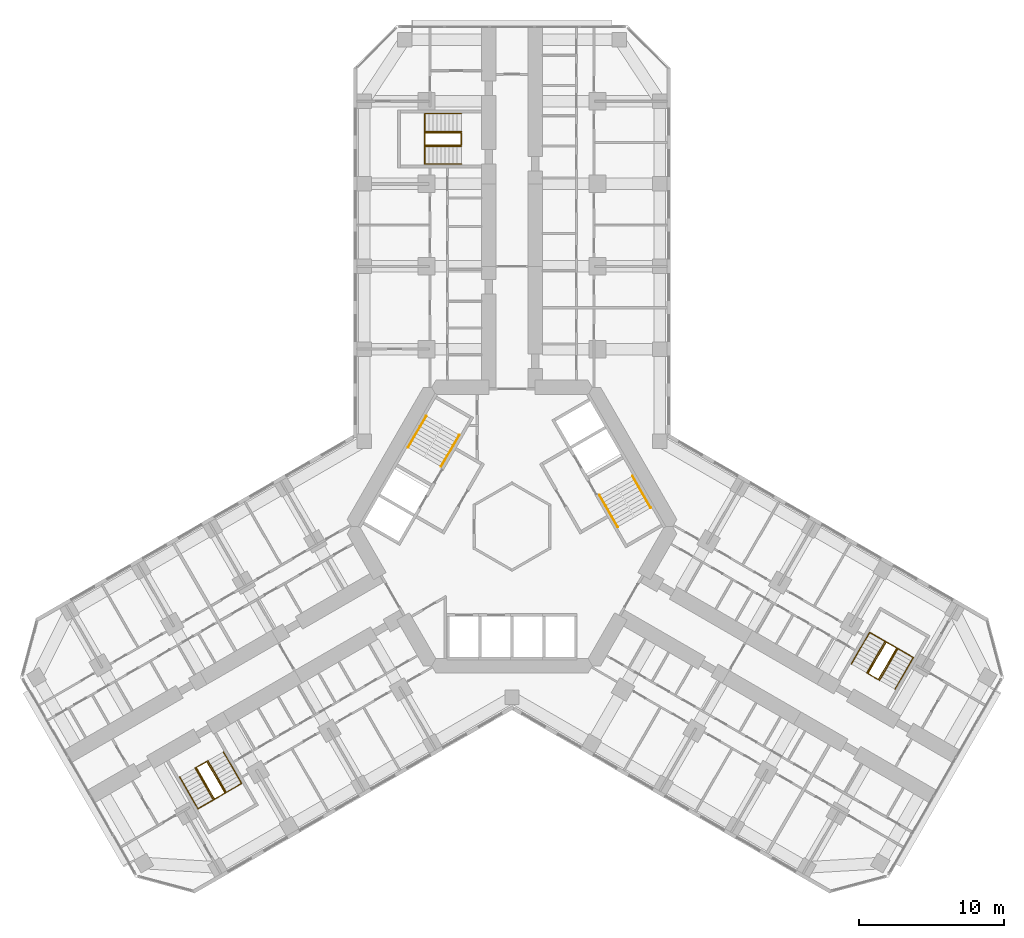
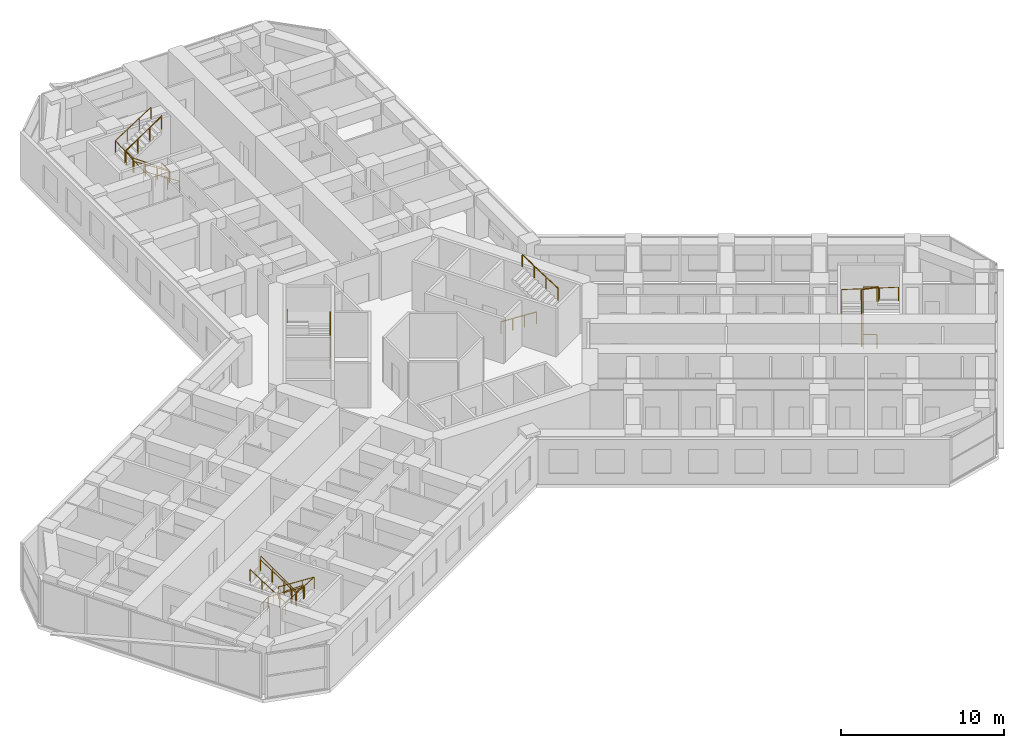
# One storey, part 21 of 21: 13 railings.
"""IFC4 building model written with IfcOpenShell, lengths in metres."""

from ifc_helpers import new_model, si_unit, direction, frame, origin, origin_2d, place, context, subcontext, project, spatial, circle, extrude, material, type_object, element, save


model = new_model("IFC4")

# Units and contexts
model_context = context("Model", 3, precision=1e-05, world=origin(), true_north=direction((0.0, 1.0)))
body_context = subcontext(model_context, "Body", "Model", "MODEL_VIEW")
ifc_project = project(units=[si_unit("LENGTHUNIT", "METRE"), si_unit("AREAUNIT", "SQUARE_METRE"), si_unit("VOLUMEUNIT", "CUBIC_METRE"), si_unit("PLANEANGLEUNIT", "RADIAN"), si_unit("MASSUNIT", "GRAM", prefix="KILO")], contexts=[model_context])

# Site, building, storey
site_placement = place(None, origin())
site = spatial("IfcSite", under=ifc_project, at=site_placement, CompositionType="ELEMENT")
building_placement = place(site_placement, origin())
building = spatial("IfcBuilding", under=site, at=building_placement, Name="Kosmar Iwan School Tower", CompositionType="ELEMENT")
storey_placement = place(building_placement, frame((0.0, 0.0, 61.0)))
storey = spatial("IfcBuildingStorey", under=building, at=storey_placement, Name="L14", CompositionType="ELEMENT", Elevation=61.0)

# Railings
ifc_material_1 = material(Name="Black steel", Category="steel")
railing_type_1 = type_object("IfcRailingType", Name="Stair handrail 900", PredefinedType="HANDRAIL", material=ifc_material_1)
railing_1_placement = place(storey_placement, frame((-4.89453125, 4.142333984375, 0.179931640625)))
element("IfcRailing", 1, at=railing_1_placement, inside=storey, type_object=railing_type_1, Name="Handrail ST2 flight 1", PredefinedType="HANDRAIL", context=body_context, shape_type="SweptSolid", body=[
    extrude(circle(Radius=0.02392578125, at=origin_2d()), frame((0.0, 0.0, 0.8759765625), z_axis=(0.420584145978, 0.728463801763, 0.540785970299), x_axis=(-0.866022637375, 0.500004791531, 0.0)), (0.0, 0.0, 1.0), 2.995849609375),
    extrude(circle(Radius=0.02099609375, at=origin_2d()), origin(), (0.0, 0.0, 1.0), 0.851806640625),
    extrude(circle(Radius=0.02099609375, at=origin_2d()), frame((0.419921875, 0.7275390625, 0.5400390625)), (0.0, 0.0, 1.0), 0.851806640625),
    extrude(circle(Radius=0.02099609375, at=origin_2d()), frame((0.840087890625, 1.454833984375, 1.080078125)), (0.0, 0.0, 1.0), 0.851806640625),
    extrude(circle(Radius=0.02099609375, at=origin_2d()), frame((1.260009765625, 2.182373046875, 1.6201171875)), (0.0, 0.0, 1.0), 0.851806640625),
])
railing_2_placement = place(storey_placement, frame((-5.912353515625, 7.6396484375, 1.97998046875)))
element("IfcRailing", 2, at=railing_2_placement, inside=storey, type_object=railing_type_1, Name="Handrail ST2 flight 2", PredefinedType="HANDRAIL", context=body_context, shape_type="SweptSolid", body=[
    extrude(circle(Radius=0.02392578125, at=origin_2d()), frame((0.0, 0.0, 0.8759765625), z_axis=(-0.420584145978, -0.728463801763, 0.540785970299), x_axis=(0.866022637375, -0.500004791531, 0.0)), (0.0, 0.0, 1.0), 2.995849609375),
    extrude(circle(Radius=0.02099609375, at=origin_2d()), origin(), (0.0, 0.0, 1.0), 0.851806640625),
    extrude(circle(Radius=0.02099609375, at=origin_2d()), frame((-0.419921875, -0.7275390625, 0.5400390625)), (0.0, 0.0, 1.0), 0.851806640625),
    extrude(circle(Radius=0.02099609375, at=origin_2d()), frame((-0.840087890625, -1.454833984375, 1.080078125)), (0.0, 0.0, 1.0), 0.851806640625),
    extrude(circle(Radius=0.02099609375, at=origin_2d()), frame((-1.260009765625, -2.182373046875, 1.6201171875)), (0.0, 0.0, 1.0), 0.851806640625),
])
railing_3_placement = place(storey_placement, frame((6.03466796875, 2.167724609375, 0.179931640625)))
element("IfcRailing", 3, at=railing_3_placement, inside=storey, type_object=railing_type_1, Name="Handrail ST1 flight 1", PredefinedType="HANDRAIL", context=body_context, shape_type="SweptSolid", body=[
    extrude(circle(Radius=0.02392578125, at=origin_2d()), frame((0.0, 0.0, 0.8759765625), z_axis=(0.420584145978, -0.728463801763, 0.540785970299), x_axis=(0.866022637375, 0.500004791531, 0.0)), (0.0, 0.0, 1.0), 2.995849609375),
    extrude(circle(Radius=0.02099609375, at=origin_2d()), origin(), (0.0, 0.0, 1.0), 0.851806640625),
    extrude(circle(Radius=0.02099609375, at=origin_2d()), frame((0.419921875, -0.7275390625, 0.5400390625)), (0.0, 0.0, 1.0), 0.851806640625),
    extrude(circle(Radius=0.02099609375, at=origin_2d()), frame((0.840087890625, -1.454833984375, 1.080078125)), (0.0, 0.0, 1.0), 0.851806640625),
    extrude(circle(Radius=0.02099609375, at=origin_2d()), frame((1.260009765625, -2.182373046875, 1.6201171875)), (0.0, 0.0, 1.0), 0.851806640625),
])
railing_4_placement = place(storey_placement, frame((9.572265625, 1.30029296875, 1.97998046875)))
element("IfcRailing", 4, at=railing_4_placement, inside=storey, type_object=railing_type_1, Name="Handrail ST1 flight 2", PredefinedType="HANDRAIL", context=body_context, shape_type="SweptSolid", body=[
    extrude(circle(Radius=0.02392578125, at=origin_2d()), frame((0.0, 0.0, 0.8759765625), z_axis=(-0.420584145978, 0.728463801763, 0.540785970299), x_axis=(-0.866022637375, -0.500004791531, 0.0)), (0.0, 0.0, 1.0), 2.995849609375),
    extrude(circle(Radius=0.02099609375, at=origin_2d()), origin(), (0.0, 0.0, 1.0), 0.851806640625),
    extrude(circle(Radius=0.02099609375, at=origin_2d()), frame((-0.419921875, 0.7275390625, 0.5400390625)), (0.0, 0.0, 1.0), 0.851806640625),
    extrude(circle(Radius=0.02099609375, at=origin_2d()), frame((-0.840087890625, 1.454833984375, 1.080078125)), (0.0, 0.0, 1.0), 0.851806640625),
    extrude(circle(Radius=0.02099609375, at=origin_2d()), frame((-1.260009765625, 2.182373046875, 1.6201171875)), (0.0, 0.0, 1.0), 0.851806640625),
])
railing_5_placement = place(storey_placement, frame((-3.5, 25.010009765625, 0.179931640625)))
element("IfcRailing", 5, at=railing_5_placement, inside=storey, type_object=railing_type_1, Name="Handrail stair WS1 L14 wall side", PredefinedType="HANDRAIL", context=body_context, shape_type="SweptSolid", body=[
    extrude(circle(Radius=0.02392578125, at=origin_2d()), frame((0.0, 0.0, 0.8759765625), z_axis=(-0.841162588446, 0.0, 0.540782303519), x_axis=(0.0, -1.0, 0.0)), (0.0, 0.0, 1.0), 2.995849609375),
    extrude(circle(Radius=0.02392578125, at=origin_2d()), frame((-2.52001953125, 0.0, 2.49609375), z_axis=(0.0, 0.998665981786, 0.051635809497), x_axis=(-1.0, 0.0, 0.0)), (0.0, 0.0, 1.0), 3.484619140625),
    extrude(circle(Radius=0.02392578125, at=origin_2d()), frame((-2.52001953125, 3.47998046875, 2.67578125), z_axis=(0.841162588446, 0.0, 0.540782303519), x_axis=(0.0, 1.0, 0.0)), (0.0, 0.0, 1.0), 2.995849609375),
    extrude(circle(Radius=0.02099609375, at=origin_2d()), origin(), (0.0, 0.0, 1.0), 0.851806640625),
    extrude(circle(Radius=0.02099609375, at=origin_2d()), frame((-0.840087890625, 0.0, 0.5400390625)), (0.0, 0.0, 1.0), 0.851806640625),
    extrude(circle(Radius=0.02099609375, at=origin_2d()), frame((-1.679931640625, 0.0, 1.080078125)), (0.0, 0.0, 1.0), 0.851806640625),
    extrude(circle(Radius=0.02099609375, at=origin_2d()), frame((-2.52001953125, 0.0, 1.6201171875)), (0.0, 0.0, 1.0), 0.851806640625),
    extrude(circle(Radius=0.02099609375, at=origin_2d()), frame((-2.52001953125, 1.159912109375, 1.68017578125)), (0.0, 0.0, 1.0), 0.851806640625),
    extrude(circle(Radius=0.02099609375, at=origin_2d()), frame((-2.52001953125, 2.320068359375, 1.739990234375)), (0.0, 0.0, 1.0), 0.851806640625),
    extrude(circle(Radius=0.02099609375, at=origin_2d()), frame((-2.52001953125, 3.47998046875, 1.800048828125)), (0.0, 0.0, 1.0), 0.851806640625),
    extrude(circle(Radius=0.02099609375, at=origin_2d()), frame((-1.679931640625, 3.47998046875, 2.340087890625)), (0.0, 0.0, 1.0), 0.851806640625),
    extrude(circle(Radius=0.02099609375, at=origin_2d()), frame((-0.840087890625, 3.47998046875, 2.880126953125)), (0.0, 0.0, 1.0), 0.851806640625),
    extrude(circle(Radius=0.02099609375, at=origin_2d()), frame((0.0, 3.47998046875, 3.420166015625)), (0.0, 0.0, 1.0), 0.851806640625),
])
railing_6_placement = place(storey_placement, frame((-3.5, 26.239990234375, 0.179931640625)))
element("IfcRailing", 6, at=railing_6_placement, inside=storey, type_object=railing_type_1, Name="Handrail stair WS1 L14 well side", PredefinedType="HANDRAIL", context=body_context, shape_type="SweptSolid", body=[
    extrude(circle(Radius=0.02392578125, at=origin_2d()), frame((0.0, 0.0, 0.8759765625), z_axis=(-0.841162588446, 0.0, 0.540782303519), x_axis=(0.0, -1.0, 0.0)), (0.0, 0.0, 1.0), 2.995849609375),
    extrude(circle(Radius=0.02392578125, at=origin_2d()), frame((-2.52001953125, 0.0, 2.49609375), z_axis=(0.0, 0.984795421109, 0.173718100851), x_axis=(-1.0, 0.0, 0.0)), (0.0, 0.0, 1.0), 1.035888671875),
    extrude(circle(Radius=0.02392578125, at=origin_2d()), frame((-2.52001953125, 1.02001953125, 2.67578125), z_axis=(0.841162588446, 0.0, 0.540782303519), x_axis=(0.0, 1.0, 0.0)), (0.0, 0.0, 1.0), 2.995849609375),
    extrude(circle(Radius=0.02099609375, at=origin_2d()), origin(), (0.0, 0.0, 1.0), 0.851806640625),
    extrude(circle(Radius=0.02099609375, at=origin_2d()), frame((-0.840087890625, 0.0, 0.5400390625)), (0.0, 0.0, 1.0), 0.851806640625),
    extrude(circle(Radius=0.02099609375, at=origin_2d()), frame((-1.679931640625, 0.0, 1.080078125)), (0.0, 0.0, 1.0), 0.851806640625),
    extrude(circle(Radius=0.02099609375, at=origin_2d()), frame((-2.52001953125, 0.0, 1.6201171875)), (0.0, 0.0, 1.0), 0.851806640625),
    extrude(circle(Radius=0.02099609375, at=origin_2d()), frame((-2.52001953125, 1.02001953125, 1.800048828125)), (0.0, 0.0, 1.0), 0.851806640625),
    extrude(circle(Radius=0.02099609375, at=origin_2d()), frame((-1.679931640625, 1.02001953125, 2.340087890625)), (0.0, 0.0, 1.0), 0.851806640625),
    extrude(circle(Radius=0.02099609375, at=origin_2d()), frame((-0.840087890625, 1.02001953125, 2.880126953125)), (0.0, 0.0, 1.0), 0.851806640625),
    extrude(circle(Radius=0.02099609375, at=origin_2d()), frame((0.0, 1.02001953125, 3.420166015625)), (0.0, 0.0, 1.0), 0.851806640625),
])
railing_7_placement = place(storey_placement, frame((-19.9091796875, -15.5361328125, 0.179931640625)))
element("IfcRailing", 7, at=railing_7_placement, inside=storey, type_object=railing_type_1, Name="Handrail stair WS2 L14 wall side", PredefinedType="HANDRAIL", context=body_context, shape_type="SweptSolid", body=[
    extrude(circle(Radius=0.02392578125, at=origin_2d()), frame((0.0, 0.0, 0.8759765625), z_axis=(0.420517065106, -0.728488768407, 0.540804504659), x_axis=(0.866064587494, 0.499932125682, 0.0)), (0.0, 0.0, 1.0), 2.995849609375),
    extrude(circle(Radius=0.02392578125, at=origin_2d()), frame((1.259765625, -2.182373046875, 2.49609375), z_axis=(-0.864864352349, -0.499342858003, 0.051636829851), x_axis=(0.500009906705, -0.86601968407, 0.0)), (0.0, 0.0, 1.0), 3.484619140625),
    extrude(circle(Radius=0.02392578125, at=origin_2d()), frame((-1.75390625, -3.92236328125, 2.67578125), z_axis=(-0.420584145978, 0.728463801763, 0.540785970299), x_axis=(-0.866022637375, -0.500004791531, 0.0)), (0.0, 0.0, 1.0), 2.995849609375),
    extrude(circle(Radius=0.02099609375, at=origin_2d()), origin(), (0.0, 0.0, 1.0), 0.851806640625),
    extrude(circle(Radius=0.02099609375, at=origin_2d()), frame((0.419921875, -0.7275390625, 0.5400390625)), (0.0, 0.0, 1.0), 0.851806640625),
    extrude(circle(Radius=0.02099609375, at=origin_2d()), frame((0.83984375, -1.454833984375, 1.080078125)), (0.0, 0.0, 1.0), 0.851806640625),
    extrude(circle(Radius=0.02099609375, at=origin_2d()), frame((1.259765625, -2.182373046875, 1.6201171875)), (0.0, 0.0, 1.0), 0.851806640625),
    extrude(circle(Radius=0.02099609375, at=origin_2d()), frame((0.255126953125, -2.762451171875, 1.68017578125)), (0.0, 0.0, 1.0), 0.851806640625),
    extrude(circle(Radius=0.02099609375, at=origin_2d()), frame((-0.749267578125, -3.34228515625, 1.739990234375)), (0.0, 0.0, 1.0), 0.851806640625),
    extrude(circle(Radius=0.02099609375, at=origin_2d()), frame((-1.75390625, -3.92236328125, 1.800048828125)), (0.0, 0.0, 1.0), 0.851806640625),
    extrude(circle(Radius=0.02099609375, at=origin_2d()), frame((-2.173828125, -3.19482421875, 2.340087890625)), (0.0, 0.0, 1.0), 0.851806640625),
    extrude(circle(Radius=0.02099609375, at=origin_2d()), frame((-2.593994140625, -2.467529296875, 2.880126953125)), (0.0, 0.0, 1.0), 0.851806640625),
    extrude(circle(Radius=0.02099609375, at=origin_2d()), frame((-3.013916015625, -1.739990234375, 3.420166015625)), (0.0, 0.0, 1.0), 0.851806640625),
])
railing_8_placement = place(storey_placement, frame((-20.974609375, -16.151123046875, 0.179931640625)))
element("IfcRailing", 8, at=railing_8_placement, inside=storey, type_object=railing_type_1, Name="Handrail stair WS2 L14 well side", PredefinedType="HANDRAIL", context=body_context, shape_type="SweptSolid", body=[
    extrude(circle(Radius=0.02392578125, at=origin_2d()), frame((0.0, 0.0, 0.8759765625), z_axis=(0.420584145978, -0.728463801763, 0.540785970299), x_axis=(0.866022637375, 0.500004791531, 0.0)), (0.0, 0.0, 1.0), 2.995849609375),
    extrude(circle(Radius=0.02392578125, at=origin_2d()), frame((1.260009765625, -2.182373046875, 2.49609375), z_axis=(-0.852841519511, -0.492422867401, 0.173726976197), x_axis=(0.500026340207, -0.866010195725, 0.0)), (0.0, 0.0, 1.0), 1.03564453125),
    extrude(circle(Radius=0.02392578125, at=origin_2d()), frame((0.376708984375, -2.6923828125, 2.67578125), z_axis=(-0.420584145978, 0.728463801763, 0.540785970299), x_axis=(-0.866022637375, -0.500004791531, 0.0)), (0.0, 0.0, 1.0), 2.995849609375),
    extrude(circle(Radius=0.02099609375, at=origin_2d()), origin(), (0.0, 0.0, 1.0), 0.851806640625),
    extrude(circle(Radius=0.02099609375, at=origin_2d()), frame((0.419921875, -0.7275390625, 0.5400390625)), (0.0, 0.0, 1.0), 0.851806640625),
    extrude(circle(Radius=0.02099609375, at=origin_2d()), frame((0.840087890625, -1.454833984375, 1.080078125)), (0.0, 0.0, 1.0), 0.851806640625),
    extrude(circle(Radius=0.02099609375, at=origin_2d()), frame((1.260009765625, -2.182373046875, 1.6201171875)), (0.0, 0.0, 1.0), 0.851806640625),
    extrude(circle(Radius=0.02099609375, at=origin_2d()), frame((0.376708984375, -2.6923828125, 1.800048828125)), (0.0, 0.0, 1.0), 0.851806640625),
    extrude(circle(Radius=0.02099609375, at=origin_2d()), frame((-0.043212890625, -1.96484375, 2.340087890625)), (0.0, 0.0, 1.0), 0.851806640625),
    extrude(circle(Radius=0.02099609375, at=origin_2d()), frame((-0.46337890625, -1.237548828125, 2.880126953125)), (0.0, 0.0, 1.0), 0.851806640625),
    extrude(circle(Radius=0.02099609375, at=origin_2d()), frame((-0.88330078125, -0.510009765625, 3.420166015625)), (0.0, 0.0, 1.0), 0.851806640625),
])
railing_9_placement = place(storey_placement, frame((23.4091796875, -9.473876953125, 0.179931640625)))
element("IfcRailing", 9, at=railing_9_placement, inside=storey, type_object=railing_type_1, Name="Handrail stair WS3 L14 wall side", PredefinedType="HANDRAIL", context=body_context, shape_type="SweptSolid", body=[
    extrude(circle(Radius=0.02392578125, at=origin_2d()), frame((0.0, 0.0, 0.8759765625), z_axis=(0.420584145978, 0.728463801763, 0.540785970299), x_axis=(-0.866022637375, 0.500004791531, 0.0)), (0.0, 0.0, 1.0), 2.995849609375),
    extrude(circle(Radius=0.02392578125, at=origin_2d()), frame((1.260009765625, 2.182373046875, 2.49609375), z_axis=(0.864882007433, -0.499312601618, 0.051633701051), x_axis=(0.499979528911, 0.866037222451, 0.0)), (0.0, 0.0, 1.0), 3.48486328125),
    extrude(circle(Radius=0.02392578125, at=origin_2d()), frame((4.27392578125, 0.4423828125, 2.67578125), z_axis=(-0.420584145978, -0.728463801763, 0.540785970299), x_axis=(0.866022637375, -0.500004791531, 0.0)), (0.0, 0.0, 1.0), 2.995849609375),
    extrude(circle(Radius=0.02099609375, at=origin_2d()), origin(), (0.0, 0.0, 1.0), 0.851806640625),
    extrude(circle(Radius=0.02099609375, at=origin_2d()), frame((0.419921875, 0.7275390625, 0.5400390625)), (0.0, 0.0, 1.0), 0.851806640625),
    extrude(circle(Radius=0.02099609375, at=origin_2d()), frame((0.840087890625, 1.454833984375, 1.080078125)), (0.0, 0.0, 1.0), 0.851806640625),
    extrude(circle(Radius=0.02099609375, at=origin_2d()), frame((1.260009765625, 2.182373046875, 1.6201171875)), (0.0, 0.0, 1.0), 0.851806640625),
    extrude(circle(Radius=0.02099609375, at=origin_2d()), frame((2.2646484375, 1.602294921875, 1.68017578125)), (0.0, 0.0, 1.0), 0.851806640625),
    extrude(circle(Radius=0.02099609375, at=origin_2d()), frame((3.269287109375, 1.0224609375, 1.739990234375)), (0.0, 0.0, 1.0), 0.851806640625),
    extrude(circle(Radius=0.02099609375, at=origin_2d()), frame((4.27392578125, 0.4423828125, 1.800048828125)), (0.0, 0.0, 1.0), 0.851806640625),
    extrude(circle(Radius=0.02099609375, at=origin_2d()), frame((3.85400390625, -0.28515625, 2.340087890625)), (0.0, 0.0, 1.0), 0.851806640625),
    extrude(circle(Radius=0.02099609375, at=origin_2d()), frame((3.433837890625, -1.012451171875, 2.880126953125)), (0.0, 0.0, 1.0), 0.851806640625),
    extrude(circle(Radius=0.02099609375, at=origin_2d()), frame((3.013916015625, -1.739990234375, 3.420166015625)), (0.0, 0.0, 1.0), 0.851806640625),
])
railing_10_placement = place(storey_placement, frame((24.474609375, -10.0888671875, 0.179931640625)))
element("IfcRailing", 10, at=railing_10_placement, inside=storey, type_object=railing_type_1, Name="Handrail stair WS3 L14 well side", PredefinedType="HANDRAIL", context=body_context, shape_type="SweptSolid", body=[
    extrude(circle(Radius=0.02392578125, at=origin_2d()), frame((0.0, 0.0, 0.8759765625), z_axis=(0.420584145978, 0.728463801763, 0.540785970299), x_axis=(-0.866022637375, 0.500004791531, 0.0)), (0.0, 0.0, 1.0), 2.995849609375),
    extrude(circle(Radius=0.02392578125, at=origin_2d()), frame((1.260009765625, 2.182373046875, 2.49609375), z_axis=(0.852841519511, -0.492422867401, 0.173726976197), x_axis=(0.500026340207, 0.866010195725, 0.0)), (0.0, 0.0, 1.0), 1.03564453125),
    extrude(circle(Radius=0.02392578125, at=origin_2d()), frame((2.143310546875, 1.67236328125, 2.67578125), z_axis=(-0.420584145978, -0.728463801763, 0.540785970299), x_axis=(0.866022637375, -0.500004791531, 0.0)), (0.0, 0.0, 1.0), 2.995849609375),
    extrude(circle(Radius=0.02099609375, at=origin_2d()), origin(), (0.0, 0.0, 1.0), 0.851806640625),
    extrude(circle(Radius=0.02099609375, at=origin_2d()), frame((0.419921875, 0.7275390625, 0.5400390625)), (0.0, 0.0, 1.0), 0.851806640625),
    extrude(circle(Radius=0.02099609375, at=origin_2d()), frame((0.840087890625, 1.454833984375, 1.080078125)), (0.0, 0.0, 1.0), 0.851806640625),
    extrude(circle(Radius=0.02099609375, at=origin_2d()), frame((1.260009765625, 2.182373046875, 1.6201171875)), (0.0, 0.0, 1.0), 0.851806640625),
    extrude(circle(Radius=0.02099609375, at=origin_2d()), frame((2.143310546875, 1.67236328125, 1.800048828125)), (0.0, 0.0, 1.0), 0.851806640625),
    extrude(circle(Radius=0.02099609375, at=origin_2d()), frame((1.723388671875, 0.94482421875, 2.340087890625)), (0.0, 0.0, 1.0), 0.851806640625),
    extrude(circle(Radius=0.02099609375, at=origin_2d()), frame((1.30322265625, 0.217529296875, 2.880126953125)), (0.0, 0.0, 1.0), 0.851806640625),
    extrude(circle(Radius=0.02099609375, at=origin_2d()), frame((0.88330078125, -0.510009765625, 3.420166015625)), (0.0, 0.0, 1.0), 0.851806640625),
])
ifc_material_2 = material(Name="Black steel", Category="steel")
railing_type_2 = type_object("IfcRailingType", Name="Stair well guard 1100", PredefinedType="GUARDRAIL", material=ifc_material_2)
railing_11_placement = place(storey_placement, frame((-3.5, 27.169921875, 0.0)))
element("IfcRailing", 11, at=railing_11_placement, inside=storey, type_object=railing_type_2, Name="Stair WS1 L14 well guard", PredefinedType="GUARDRAIL", context=body_context, shape_type="SweptSolid", body=[
    extrude(circle(Radius=0.02392578125, at=origin_2d()), frame((0.0, 0.0, 1.076171875), z_axis=(0.0, -1.0, 0.0), x_axis=(1.0, 0.0, 0.0)), (0.0, 0.0, 1.0), 0.83984375),
    extrude(circle(Radius=0.02392578125, at=origin_2d()), frame((0.0, -0.83984375, 1.076171875), z_axis=(-0.813728144527, 0.0, 0.581245650998), x_axis=(0.0, -1.0, 0.0)), (0.0, 0.0, 1.0), 3.096923828125),
    extrude(circle(Radius=0.02392578125, at=origin_2d()), frame((-2.52001953125, -0.83984375, 2.8759765625), z_axis=(0.0, 1.0, 0.0), x_axis=(-1.0, 0.0, 0.0)), (0.0, 0.0, 1.0), 0.83984375),
    extrude(circle(Radius=0.02392578125, at=origin_2d()), frame((-2.52001953125, 0.0, 2.8759765625), z_axis=(0.813728144527, 0.0, 0.581245650998), x_axis=(0.0, 1.0, 0.0)), (0.0, 0.0, 1.0), 3.096923828125),
    extrude(circle(Radius=0.02099609375, at=origin_2d()), origin(), (0.0, 0.0, 1.0), 1.052001953125),
    extrude(circle(Radius=0.02099609375, at=origin_2d()), frame((0.0, -0.83984375, 0.0)), (0.0, 0.0, 1.0), 1.052001953125),
    extrude(circle(Radius=0.02099609375, at=origin_2d()), frame((-0.840087890625, -0.83984375, 0.60009765625)), (0.0, 0.0, 1.0), 1.052001953125),
    extrude(circle(Radius=0.02099609375, at=origin_2d()), frame((-1.679931640625, -0.83984375, 1.199951171875)), (0.0, 0.0, 1.0), 1.052001953125),
    extrude(circle(Radius=0.02099609375, at=origin_2d()), frame((-2.52001953125, -0.83984375, 1.800048828125)), (0.0, 0.0, 1.0), 1.052001953125),
    extrude(circle(Radius=0.02099609375, at=origin_2d()), frame((-2.52001953125, 0.0, 1.800048828125)), (0.0, 0.0, 1.0), 1.052001953125),
    extrude(circle(Radius=0.02099609375, at=origin_2d()), frame((-1.679931640625, 0.0, 2.400146484375)), (0.0, 0.0, 1.0), 1.052001953125),
    extrude(circle(Radius=0.02099609375, at=origin_2d()), frame((-0.840087890625, 0.0, 3.0)), (0.0, 0.0, 1.0), 1.052001953125),
    extrude(circle(Radius=0.02099609375, at=origin_2d()), frame((0.0, 0.0, 3.60009765625)), (0.0, 0.0, 1.0), 1.052001953125),
])
railing_12_placement = place(storey_placement, frame((-21.780029296875, -16.6162109375, 0.0)))
element("IfcRailing", 12, at=railing_12_placement, inside=storey, type_object=railing_type_2, Name="Stair WS2 L14 well guard", PredefinedType="GUARDRAIL", context=body_context, shape_type="SweptSolid", body=[
    extrude(circle(Radius=0.02392578125, at=origin_2d()), frame((0.0, 0.0, 1.076171875), z_axis=(0.865962960534, 0.500108139288, 0.0), x_axis=(-0.500108139288, 0.865962960534, 0.0)), (0.0, 0.0, 1.0), 0.840087890625),
    extrude(circle(Radius=0.02392578125, at=origin_2d()), frame((0.7275390625, 0.420166015625, 1.076171875), z_axis=(0.40686665399, -0.704704712268, 0.58124933925), x_axis=(0.866022637375, 0.500004791531, 0.0)), (0.0, 0.0, 1.0), 3.096923828125),
    extrude(circle(Radius=0.02392578125, at=origin_2d()), frame((1.987548828125, -1.76220703125, 2.8759765625), z_axis=(-0.865962960534, -0.500108139288, 0.0), x_axis=(0.500108139288, -0.865962960534, 0.0)), (0.0, 0.0, 1.0), 0.840087890625),
    extrude(circle(Radius=0.02392578125, at=origin_2d()), frame((1.260009765625, -2.182373046875, 2.8759765625), z_axis=(-0.40686665399, 0.704704712268, 0.58124933925), x_axis=(-0.866022637375, -0.500004791531, 0.0)), (0.0, 0.0, 1.0), 3.096923828125),
    extrude(circle(Radius=0.02099609375, at=origin_2d()), origin(), (0.0, 0.0, 1.0), 1.052001953125),
    extrude(circle(Radius=0.02099609375, at=origin_2d()), frame((0.7275390625, 0.420166015625, 0.0)), (0.0, 0.0, 1.0), 1.052001953125),
    extrude(circle(Radius=0.02099609375, at=origin_2d()), frame((1.1474609375, -0.307373046875, 0.60009765625)), (0.0, 0.0, 1.0), 1.052001953125),
    extrude(circle(Radius=0.02099609375, at=origin_2d()), frame((1.567626953125, -1.03466796875, 1.199951171875)), (0.0, 0.0, 1.0), 1.052001953125),
    extrude(circle(Radius=0.02099609375, at=origin_2d()), frame((1.987548828125, -1.76220703125, 1.800048828125)), (0.0, 0.0, 1.0), 1.052001953125),
    extrude(circle(Radius=0.02099609375, at=origin_2d()), frame((1.260009765625, -2.182373046875, 1.800048828125)), (0.0, 0.0, 1.0), 1.052001953125),
    extrude(circle(Radius=0.02099609375, at=origin_2d()), frame((0.840087890625, -1.454833984375, 2.400146484375)), (0.0, 0.0, 1.0), 1.052001953125),
    extrude(circle(Radius=0.02099609375, at=origin_2d()), frame((0.419921875, -0.7275390625, 3.0)), (0.0, 0.0, 1.0), 1.052001953125),
    extrude(circle(Radius=0.02099609375, at=origin_2d()), frame((0.0, 0.0, 3.60009765625)), (0.0, 0.0, 1.0), 1.052001953125),
])
railing_13_placement = place(storey_placement, frame((25.280029296875, -10.553955078125, 0.0)))
element("IfcRailing", 13, at=railing_13_placement, inside=storey, type_object=railing_type_2, Name="Stair WS3 L14 well guard", PredefinedType="GUARDRAIL", context=body_context, shape_type="SweptSolid", body=[
    extrude(circle(Radius=0.02392578125, at=origin_2d()), frame((0.0, 0.0, 1.076171875), z_axis=(-0.865962960534, 0.500108139288, 0.0), x_axis=(-0.500108139288, -0.865962960534, 0.0)), (0.0, 0.0, 1.0), 0.840087890625),
    extrude(circle(Radius=0.02392578125, at=origin_2d()), frame((-0.7275390625, 0.420166015625, 1.076171875), z_axis=(0.40686665399, 0.704704712268, 0.58124933925), x_axis=(-0.866022637375, 0.500004791531, 0.0)), (0.0, 0.0, 1.0), 3.096923828125),
    extrude(circle(Radius=0.02392578125, at=origin_2d()), frame((0.532470703125, 2.6025390625, 2.8759765625), z_axis=(0.865890253765, -0.500234013672, 0.0), x_axis=(0.500234013672, 0.865890253765, 0.0)), (0.0, 0.0, 1.0), 0.83984375),
    extrude(circle(Radius=0.02392578125, at=origin_2d()), frame((1.259765625, 2.182373046875, 2.8759765625), z_axis=(-0.406800866334, -0.70472731476, 0.58126798207), x_axis=(0.866064587494, -0.499932125682, 0.0)), (0.0, 0.0, 1.0), 3.0966796875),
    extrude(circle(Radius=0.02099609375, at=origin_2d()), origin(), (0.0, 0.0, 1.0), 1.052001953125),
    extrude(circle(Radius=0.02099609375, at=origin_2d()), frame((-0.7275390625, 0.420166015625, 0.0)), (0.0, 0.0, 1.0), 1.052001953125),
    extrude(circle(Radius=0.02099609375, at=origin_2d()), frame((-0.3076171875, 1.147705078125, 0.60009765625)), (0.0, 0.0, 1.0), 1.052001953125),
    extrude(circle(Radius=0.02099609375, at=origin_2d()), frame((0.112548828125, 1.875, 1.199951171875)), (0.0, 0.0, 1.0), 1.052001953125),
    extrude(circle(Radius=0.02099609375, at=origin_2d()), frame((0.532470703125, 2.6025390625, 1.800048828125)), (0.0, 0.0, 1.0), 1.052001953125),
    extrude(circle(Radius=0.02099609375, at=origin_2d()), frame((1.259765625, 2.182373046875, 1.800048828125)), (0.0, 0.0, 1.0), 1.052001953125),
    extrude(circle(Radius=0.02099609375, at=origin_2d()), frame((0.83984375, 1.454833984375, 2.400146484375)), (0.0, 0.0, 1.0), 1.052001953125),
    extrude(circle(Radius=0.02099609375, at=origin_2d()), frame((0.419921875, 0.7275390625, 3.0)), (0.0, 0.0, 1.0), 1.052001953125),
    extrude(circle(Radius=0.02099609375, at=origin_2d()), frame((0.0, 0.0, 3.60009765625)), (0.0, 0.0, 1.0), 1.052001953125),
])

save(model, "model.ifc")
